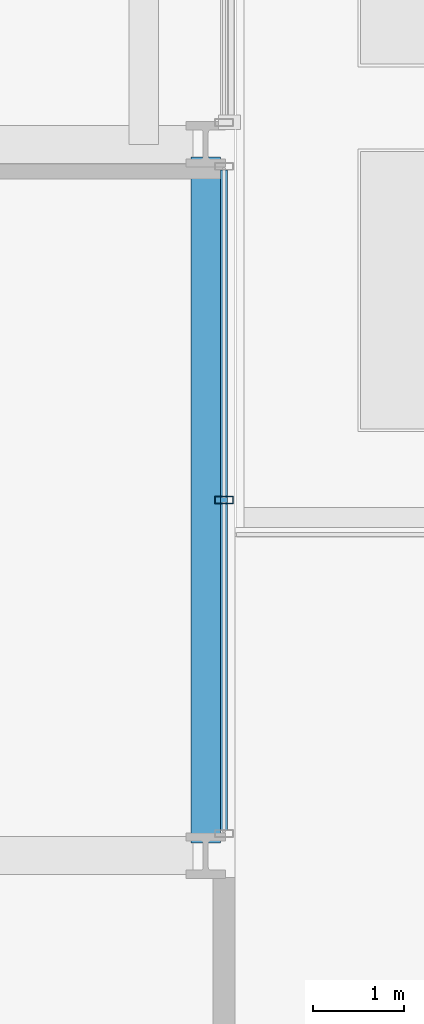
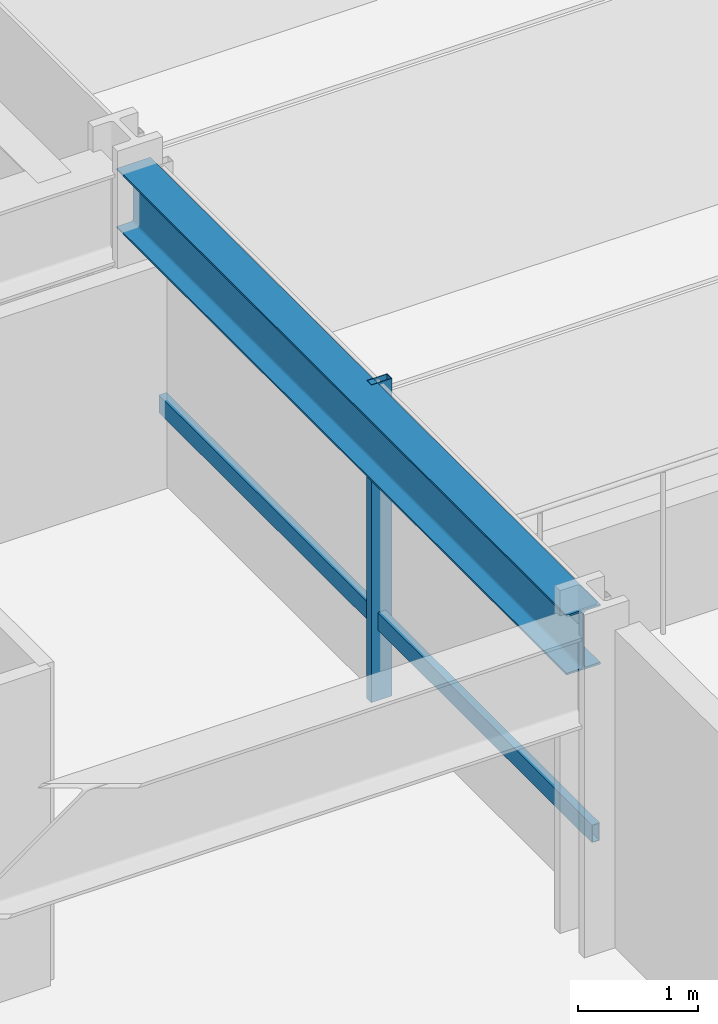
# One storey, part 14 of 42: 2 members, 1 beam, 1 element without a shape of its own.
"""IFC4 building model written with IfcOpenShell, lengths in metres."""

from ifc_helpers import new_model, si_unit, direction, frame, origin, origin_2d, place, context, subcontext, project, spatial, hollow_rectangle, i_section, extrude, material, layer, layer_set, material_profile, profile_set, type_object, element, aggregate, save


model = new_model("IFC4")

# Units and contexts
model_context = context("Model", 3, precision=1e-05, world=origin(), true_north=direction((0.0, 1.0)))
body_context = subcontext(model_context, "Body", "Model", "MODEL_VIEW")
ifc_project = project(units=[si_unit("LENGTHUNIT", "METRE"), si_unit("AREAUNIT", "SQUARE_METRE"), si_unit("VOLUMEUNIT", "CUBIC_METRE"), si_unit("PLANEANGLEUNIT", "RADIAN"), si_unit("MASSUNIT", "GRAM", prefix="KILO")], contexts=[model_context])

# Site, building, storey
site_placement = place(None, origin())
site = spatial("IfcSite", under=ifc_project, at=site_placement, CompositionType="ELEMENT")
building_placement = place(site_placement, origin())
building = spatial("IfcBuilding", under=site, at=building_placement, Name="Drelvath Grand Hotel", CompositionType="ELEMENT")
storey_placement = place(building_placement, frame((0.0, 0.0, 33.199951171875)))
storey = spatial("IfcBuildingStorey", under=building, at=storey_placement, Name="L06", CompositionType="ELEMENT", Elevation=33.199951171875)

# Curtain wall, members
ifc_material_1 = material(Name="Warm Bronze Anodised Aluminium Frame", Category="aluminium")
ifc_layer = layer(ifc_material_1, 0.199951171875)
ifc_layer_set = layer_set([ifc_layer], Name="Warm Bronze Anodised Aluminium Frame")
curtain_wall_type = type_object("IfcCurtainWallType", Name="Stick Curtain Wall CW-02 Warm Bronze Low-Rise", PredefinedType="NOTDEFINED", material=ifc_layer_set)
curtain_wall_placement = place(storey_placement, origin())
curtain_wall = element("IfcCurtainWall", 1, at=curtain_wall_placement, inside=storey, type_object=curtain_wall_type, Name="L06 CW-02 Curtain Wall CW02-L06-ES2", PredefinedType="NOTDEFINED")
ifc_material_profile_1 = material_profile(ifc_material_1, hollow_rectangle(XDim=0.074951171875, YDim=0.179931640625, WallThickness=0.0048828125, at=origin_2d()), Name="HSS180X75X5")
ifc_profile_set_1 = profile_set([ifc_material_profile_1], Name="Warm Bronze Anodised Aluminium Frame")
member_type_1 = type_object("IfcMemberType", Name="Curtain Wall Horizontal Transom CW-02 HSS180X75X5", PredefinedType="USERDEFINED", material=ifc_profile_set_1)
member_1_placement = place(storey_placement, frame((26.8798828125, 18.319091796875, 0.81005859375), z_axis=(0.0, -1.0, 0.0), x_axis=(1.0, 0.0, 0.0)))
member_1 = element("IfcMember", 2, at=member_1_placement, type_object=member_type_1, Name="CW02-L06-ES2 Sill Transom", ObjectType="TRANSOM", PredefinedType="USERDEFINED", context=body_context, shape_type="SweptSolid", body=[
    extrude(hollow_rectangle(XDim=0.074951171875, YDim=0.179931640625, WallThickness=0.0048828125, at=origin_2d()), origin(), (0.0, 0.0, 1.0), 7.23828125),
])
ifc_material_profile_2 = material_profile(ifc_material_1, hollow_rectangle(XDim=0.080078125, YDim=0.199951171875, WallThickness=0.0048828125, at=origin_2d()), Name="HSS200X80X5")
ifc_profile_set_2 = profile_set([ifc_material_profile_2], Name="Warm Bronze Anodised Aluminium Frame")
member_type_2 = type_object("IfcMemberType", Name="Curtain Wall Vertical Mullion CW-02 HSS200X80X5", PredefinedType="MULLION", material=ifc_profile_set_2)
member_2_placement = place(storey_placement, frame((26.8798828125, 14.699951171875, 0.0), z_axis=(0.0, 0.0, 1.0), x_axis=(0.0, 1.0, 0.0)))
member_2 = element("IfcMember", 3, at=member_2_placement, type_object=member_type_2, Name="CW02-L06-ES2 Mullion 2", PredefinedType="MULLION", context=body_context, shape_type="SweptSolid", body=[
    extrude(hollow_rectangle(XDim=0.080078125, YDim=0.199951171875, WallThickness=0.0048828125, at=origin_2d()), origin(), (0.0, 0.0, 1.0), 3.239990234375),
])
aggregate(curtain_wall, [member_2, member_1])

# Beam
ifc_material_2 = material(Name="Steel ASTM A992 Gr 50", Category="steel")
ifc_material_profile_3 = material_profile(ifc_material_2, i_section(OverallWidth=0.323974609375, OverallDepth=0.611083984375, WebThickness=0.0126953125, FlangeThickness=0.01904296875, FilletRadius=0.02197265625, at=origin_2d()), Name="W24X104")
ifc_profile_set_3 = profile_set([ifc_material_profile_3], Name="Steel ASTM A992 Gr 50")
beam_type = type_object("IfcBeamType", Name="Perimeter Spandrel Beam W24X104", PredefinedType="SPANDREL", material=ifc_profile_set_3)
beam_placement = place(storey_placement, frame((26.679931640625, 10.93994140625, 2.9345703125), z_axis=(0.0, 1.0, 0.0), x_axis=(-1.0, 0.0, 0.0)))
element("IfcBeam", 4, at=beam_placement, inside=storey, type_object=beam_type, Name="L06 Spandrel East S", PredefinedType="SPANDREL", context=body_context, shape_type="SweptSolid", body=[
    extrude(i_section(OverallWidth=0.323974609375, OverallDepth=0.611083984375, WebThickness=0.0126953125, FlangeThickness=0.01904296875, FilletRadius=0.02197265625, at=origin_2d()), origin(), (0.0, 0.0, 1.0), 7.52001953125),
])

save(model, "model.ifc")
